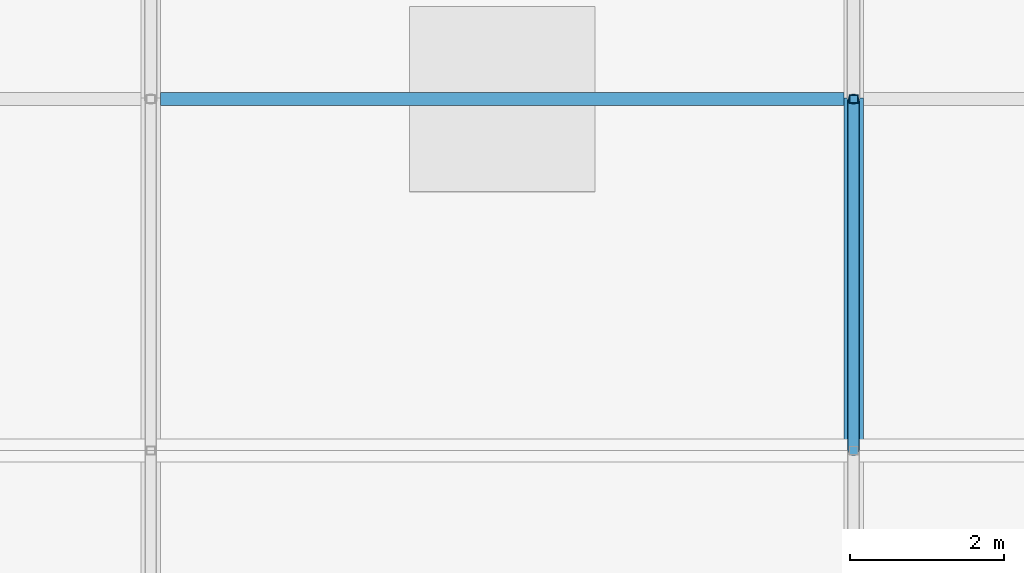
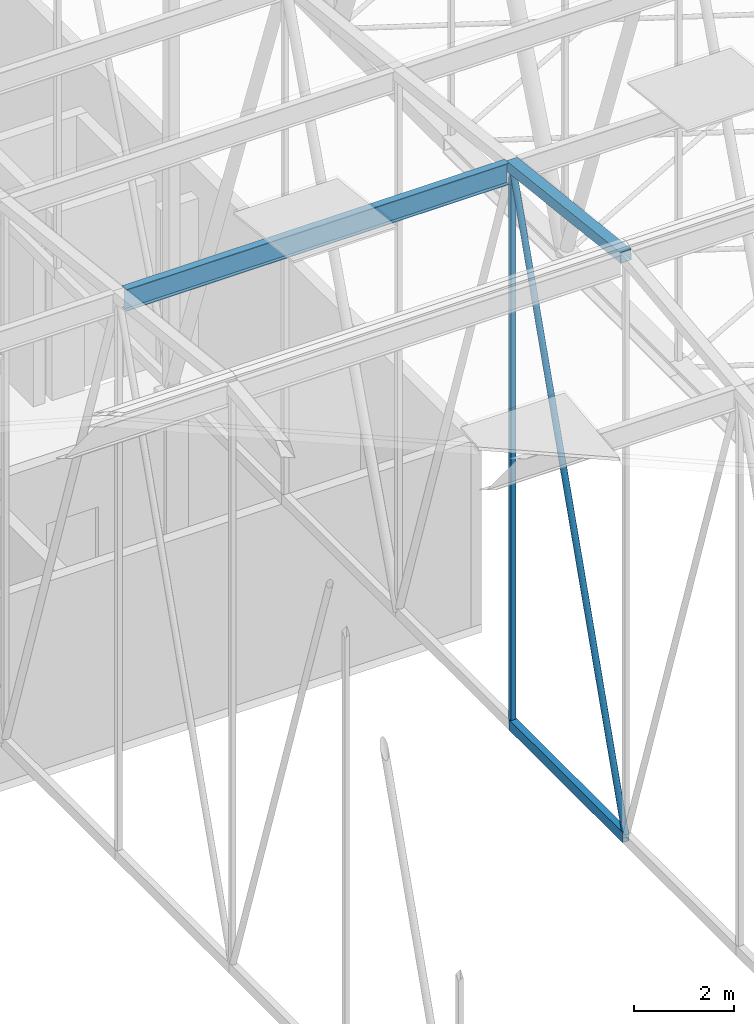
# One storey, part 195 of 500: 5 members.
"""IFC4 building model written with IfcOpenShell, lengths in metres."""

from ifc_helpers import new_model, si_unit, direction, frame, origin, origin_2d, place, context, subcontext, project, spatial, hollow_rectangle, hollow_circle, i_section, extrude, material, material_profile, profile_set, type_object, element, save


model = new_model("IFC4")

# Units and contexts
model_context = context("Model", 3, precision=1e-05, world=origin(), true_north=direction((0.0, 1.0)))
body_context = subcontext(model_context, "Body", "Model", "MODEL_VIEW")
ifc_project = project(units=[si_unit("LENGTHUNIT", "METRE"), si_unit("AREAUNIT", "SQUARE_METRE"), si_unit("VOLUMEUNIT", "CUBIC_METRE"), si_unit("PLANEANGLEUNIT", "RADIAN"), si_unit("MASSUNIT", "GRAM", prefix="KILO")], contexts=[model_context])

# Site, building, storey
site_placement = place(None, origin())
site = spatial("IfcSite", under=ifc_project, at=site_placement, CompositionType="ELEMENT")
building_placement = place(site_placement, origin())
building = spatial("IfcBuilding", under=site, at=building_placement, Name="Shirokan Park Arena", CompositionType="ELEMENT")
storey_placement = place(building_placement, frame((0.0, 0.0, 29.1201171875)))
storey = spatial("IfcBuildingStorey", under=building, at=storey_placement, Name="L06", CompositionType="ELEMENT", Elevation=29.1201171875)

# Members
ifc_material_1 = material(Name="Steel ASTM A500 Grade C", Category="steel")
ifc_material_profile_1 = material_profile(ifc_material_1, hollow_rectangle(XDim=0.152099609375, YDim=0.25390625, WallThickness=0.009521484375, at=origin_2d()), Name="HSS254X152.4X9.5")
ifc_profile_set_1 = profile_set([ifc_material_profile_1], Name="Steel ASTM A500 Grade C")
member_type_1 = type_object("IfcMemberType", Name="Bottom chord HSS254X152.4X9.5", PredefinedType="CHORD", material=ifc_profile_set_1)
member_1_placement = place(storey_placement, frame((36.39990234375, 54.60009765625, 4.677001953125), z_axis=(0.0, 1.0, 0.0), x_axis=(-1.0, 0.0, 0.0)))
element("IfcMember", 1, at=member_1_placement, inside=storey, type_object=member_type_1, Name="Truss T05 bottom chord 15", PredefinedType="CHORD", context=body_context, shape_type="SweptSolid", body=[
    extrude(hollow_rectangle(XDim=0.152099609375, YDim=0.25390625, WallThickness=0.009521484375, at=origin_2d()), origin(), (0.0, 0.0, 1.0), 4.5498046875),
])
ifc_material_2 = material(Name="Steel ASTM A992", Category="steel")
ifc_material_profile_2 = material_profile(ifc_material_2, i_section(OverallWidth=0.166015625, OverallDepth=0.528076171875, WebThickness=0.009765625, FlangeThickness=0.013671875, at=origin_2d()), Name="W530X74")
ifc_profile_set_2 = profile_set([ifc_material_profile_2], Name="Steel ASTM A992")
member_type_2 = type_object("IfcMemberType", Name="Purlin W530X74", PredefinedType="PURLIN", material=ifc_profile_set_2)
member_2_placement = place(storey_placement, frame((27.427001953125, 59.14990234375, 18.205810546875), z_axis=(1.0, 0.0, 0.0), x_axis=(0.0, 1.0, 0.0)))
element("IfcMember", 2, at=member_2_placement, inside=storey, type_object=member_type_2, Name="Purlin 16 bay 4", PredefinedType="PURLIN", context=body_context, shape_type="SweptSolid", body=[
    extrude(i_section(OverallWidth=0.166015625, OverallDepth=0.528076171875, WebThickness=0.009765625, FlangeThickness=0.013671875, at=origin_2d()), origin(), (0.0, 0.0, 1.0), 8.845947265625),
])
ifc_material_profile_3 = material_profile(ifc_material_1, hollow_rectangle(XDim=0.25390625, YDim=0.25390625, WallThickness=0.009521484375, at=origin_2d()), Name="HSS254X254X9.5")
ifc_profile_set_3 = profile_set([ifc_material_profile_3], Name="Steel ASTM A500 Grade C")
member_type_3 = type_object("IfcMemberType", Name="Top chord HSS254X254X9.5", PredefinedType="CHORD", material=ifc_profile_set_3)
member_3_placement = place(storey_placement, frame((36.39990234375, 54.60009765625, 18.86279296875), z_axis=(0.0, 0.993531641592, -0.11355561261), x_axis=(-1.0, 0.0, 0.0)))
element("IfcMember", 3, at=member_3_placement, inside=storey, type_object=member_type_3, Name="Truss T05 top chord 15", PredefinedType="CHORD", context=body_context, shape_type="SweptSolid", body=[
    extrude(hollow_rectangle(XDim=0.25390625, YDim=0.25390625, WallThickness=0.009521484375, at=origin_2d()), origin(), (0.0, 0.0, 1.0), 4.579345703125),
])
ifc_material_profile_4 = material_profile(ifc_material_1, hollow_circle(Radius=0.070556640625, WallThickness=0.006591796875, at=origin_2d()), Name="HSS141.3X6.6")
ifc_profile_set_4 = profile_set([ifc_material_profile_4], Name="Steel ASTM A500 Grade C")
member_type_4 = type_object("IfcMemberType", Name="Truss diagonal HSS141.3X6.6", PredefinedType="BRACE", material=ifc_profile_set_4)
member_4_placement = place(storey_placement, frame((36.39990234375, 54.60009765625, 4.677001953125), z_axis=(0.0, 0.315887043243, 0.948796804332), x_axis=(-1.0, 0.0, 0.0)))
element("IfcMember", 4, at=member_4_placement, inside=storey, type_object=member_type_4, Name="Truss T05 diagonal 15", PredefinedType="BRACE", context=body_context, shape_type="SweptSolid", body=[
    extrude(hollow_circle(Radius=0.070556640625, WallThickness=0.006591796875, at=origin_2d()), origin(), (0.0, 0.0, 1.0), 14.4033203125),
])
ifc_material_profile_5 = material_profile(ifc_material_1, hollow_rectangle(XDim=0.114013671875, YDim=0.114013671875, WallThickness=0.00634765625, at=origin_2d()), Name="HSS114.3X114.3X6.4")
ifc_profile_set_5 = profile_set([ifc_material_profile_5], Name="Steel ASTM A500 Grade C")
member_type_5 = type_object("IfcMemberType", Name="Truss post HSS114.3X114.3X6.4", PredefinedType="POST", material=ifc_profile_set_5)
member_5_placement = place(storey_placement, frame((36.39990234375, 59.14990234375, 4.677001953125), z_axis=(0.0, 0.0, 1.0), x_axis=(1.0, 0.0, 0.0)))
element("IfcMember", 5, at=member_5_placement, inside=storey, type_object=member_type_5, Name="Truss T05 post 16", PredefinedType="POST", context=body_context, shape_type="SweptSolid", body=[
    extrude(hollow_rectangle(XDim=0.114013671875, YDim=0.114013671875, WallThickness=0.00634765625, at=origin_2d()), origin(), (0.0, 0.0, 1.0), 13.665771484375),
])

save(model, "model.ifc")
